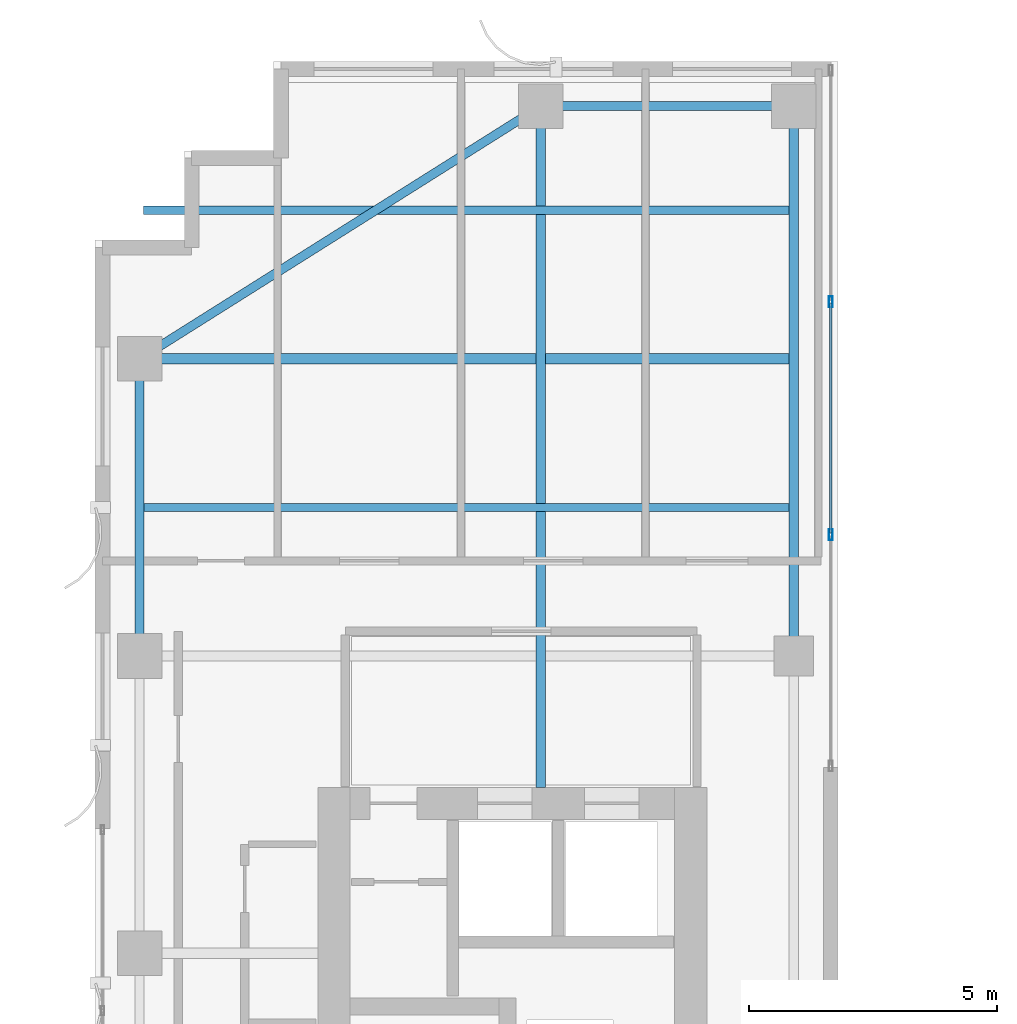
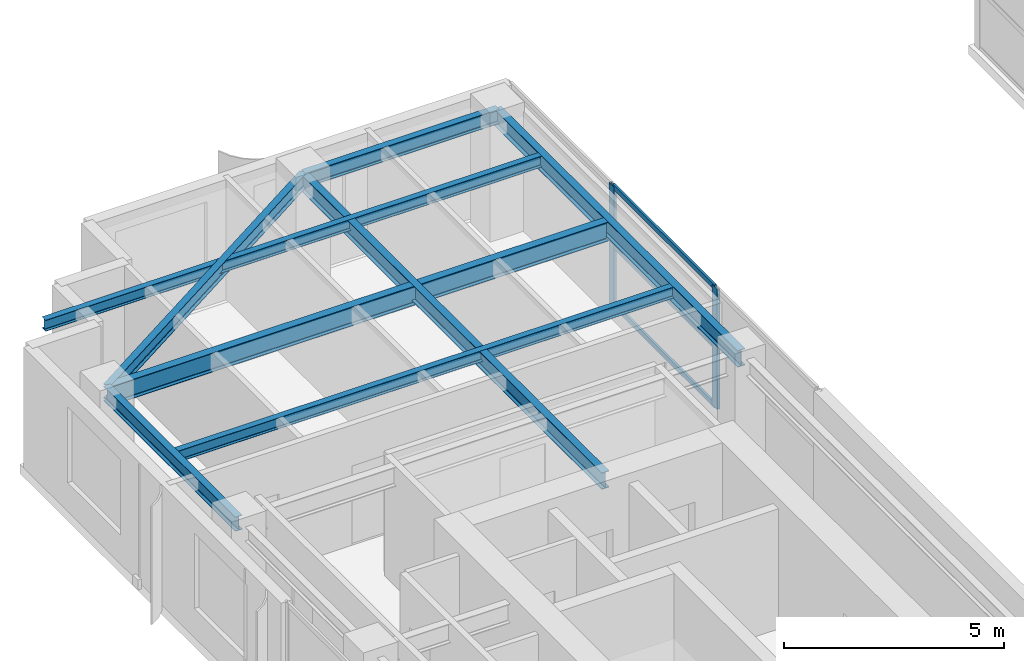
# One storey, part 13 of 22: 8 beams, 5 members, 1 element without a shape of its own.
"""IFC4 building model written with IfcOpenShell, lengths in metres."""

from ifc_helpers import new_model, si_unit, direction, frame, origin, origin_2d, place, context, subcontext, project, spatial, hollow_rectangle, i_section, extrude, source, transform, mapped, material, layer, layer_set, material_profile, profile_set, type_object, element, aggregate, save


model = new_model("IFC4")

# Units and contexts
model_context = context("Model", 3, precision=1e-05, world=origin(), true_north=direction((0.0, 1.0)))
body_context = subcontext(model_context, "Body", "Model", "MODEL_VIEW")
ifc_project = project(units=[si_unit("LENGTHUNIT", "METRE"), si_unit("AREAUNIT", "SQUARE_METRE"), si_unit("VOLUMEUNIT", "CUBIC_METRE"), si_unit("PLANEANGLEUNIT", "RADIAN"), si_unit("MASSUNIT", "GRAM", prefix="KILO")], contexts=[model_context])

# Site, building, storey
site_placement = place(None, origin())
site = spatial("IfcSite", under=ifc_project, at=site_placement, CompositionType="ELEMENT")
building_placement = place(site_placement, origin())
building = spatial("IfcBuilding", under=site, at=building_placement, Name="Khoralis Quay Care Tower", CompositionType="ELEMENT")
storey_placement = place(building_placement, frame((0.0, 0.0, 191.699951171875)))
storey = spatial("IfcBuildingStorey", under=building, at=storey_placement, Name="L50", CompositionType="ELEMENT", Elevation=191.699951171875)

# Beams
ifc_material_1 = material(Name="Steel S355", Category="steel")
ifc_material_profile_1 = material_profile(ifc_material_1, i_section(OverallWidth=0.179931640625, OverallDepth=0.39990234375, WebThickness=0.008544921875, FlangeThickness=0.013427734375, FilletRadius=0.02099609375, at=origin_2d()), Name="Steel S355")
ifc_profile_set_1 = profile_set([ifc_material_profile_1], Name="Steel S355")
beam_type_1 = type_object("IfcBeamType", Name="BM-IPE400", PredefinedType="SPANDREL", material=ifc_profile_set_1)
shared_shape_1 = source(origin(), body_context, "Body", "SweptSolid", [
    extrude(i_section(OverallWidth=0.179931640625, OverallDepth=0.39990234375, WebThickness=0.008544921875, FlangeThickness=0.013427734375, FilletRadius=0.02099609375, at=origin_2d()), origin(), (0.0, 0.0, 1.0), 6.0),
])
beam_1_placement = place(storey_placement, frame((3.89990234375, 30.0, 3.14013671875), z_axis=(0.0, 1.0, 0.0), x_axis=(-1.0, 0.0, 0.0)))
element("IfcBeam", 1, at=beam_1_placement, inside=storey, type_object=beam_type_1, Name="BM-TSP-L50-09", PredefinedType="SPANDREL", context=body_context, shape_type="MappedRepresentation", body=[
    mapped(shared_shape_1, transform((0.0, 0.0, 0.0), scale=1.0)),
])
shared_shape_2 = source(origin(), body_context, "Body", "SweptSolid", [
    extrude(i_section(OverallWidth=0.179931640625, OverallDepth=0.39990234375, WebThickness=0.008544921875, FlangeThickness=0.013427734375, FilletRadius=0.02099609375, at=origin_2d()), origin(), (0.0, 0.0, 1.0), 5.10009765625),
])
beam_2_placement = place(storey_placement, frame((12.0, 41.10009765625, 3.14013671875), z_axis=(1.0, 0.0, 0.0), x_axis=(0.0, 1.0, 0.0)))
element("IfcBeam", 2, at=beam_2_placement, inside=storey, type_object=beam_type_1, Name="BM-TSP-L50-03", PredefinedType="SPANDREL", context=body_context, shape_type="MappedRepresentation", body=[
    mapped(shared_shape_2, transform((0.0, 0.0, 0.0), scale=1.0)),
])
shared_shape_3 = source(origin(), body_context, "Body", "SweptSolid", [
    extrude(i_section(OverallWidth=0.179931640625, OverallDepth=0.39990234375, WebThickness=0.008544921875, FlangeThickness=0.013427734375, FilletRadius=0.02099609375, at=origin_2d()), origin(), (0.0, 0.0, 1.0), 9.572021484375),
])
beam_3_placement = place(storey_placement, frame((12.0, 41.10009765625, 3.14013671875), z_axis=(-0.846231136359, -0.532815975602, 0.0), x_axis=(0.532815975602, -0.846231136359, 0.0)))
element("IfcBeam", 3, at=beam_3_placement, inside=storey, type_object=beam_type_1, Name="BM-TCR-L50-17", PredefinedType="SPANDREL", context=body_context, shape_type="MappedRepresentation", body=[
    mapped(shared_shape_3, transform((0.0, 0.0, 0.0), scale=1.0)),
])
ifc_material_profile_2 = material_profile(ifc_material_1, i_section(OverallWidth=0.208984375, OverallDepth=0.532958984375, WebThickness=0.01025390625, FlangeThickness=0.015625, FilletRadius=0.01611328125, at=origin_2d()), Name="Steel S355")
ifc_profile_set_2 = profile_set([ifc_material_profile_2], Name="Steel S355")
beam_type_2 = type_object("IfcBeamType", Name="BM-W530X92", PredefinedType="BEAM", material=ifc_profile_set_2)
shared_shape_4 = source(origin(), body_context, "Body", "SweptSolid", [
    extrude(i_section(OverallWidth=0.208984375, OverallDepth=0.532958984375, WebThickness=0.01025390625, FlangeThickness=0.015625, FilletRadius=0.01611328125, at=origin_2d()), origin(), (0.0, 0.0, 1.0), 13.1162109375),
])
beam_4_placement = place(storey_placement, frame((3.89990234375, 36.0, 3.073486328125), z_axis=(1.0, 0.0, 0.0), x_axis=(0.0, 1.0, 0.0)))
element("IfcBeam", 4, at=beam_4_placement, inside=storey, type_object=beam_type_2, Name="BM-TGXW-L50-360", PredefinedType="BEAM", context=body_context, shape_type="MappedRepresentation", body=[
    mapped(shared_shape_4, transform((0.0, 0.0, 0.0), scale=1.0)),
])
ifc_material_profile_3 = material_profile(ifc_material_1, i_section(OverallWidth=0.19189453125, OverallDepth=0.462890625, WebThickness=0.010498046875, FlangeThickness=0.017578125, FilletRadius=0.014892578125, at=origin_2d()), Name="Steel S355")
ifc_profile_set_3 = profile_set([ifc_material_profile_3], Name="Steel S355")
beam_type_3 = type_object("IfcBeamType", Name="BM-W460X89", PredefinedType="BEAM", material=ifc_profile_set_3)
shared_shape_5 = source(origin(), body_context, "Body", "SweptSolid", [
    extrude(i_section(OverallWidth=0.19189453125, OverallDepth=0.462890625, WebThickness=0.010498046875, FlangeThickness=0.017578125, FilletRadius=0.014892578125, at=origin_2d()), origin(), (0.0, 0.0, 1.0), 11.10009765625),
])
beam_5_placement = place(storey_placement, frame((17.10009765625, 30.0, 3.108642578125), z_axis=(0.0, 1.0, 0.0), x_axis=(-1.0, 0.0, 0.0)))
element("IfcBeam", 5, at=beam_5_placement, inside=storey, type_object=beam_type_3, Name="BM-TGYN-L50-171", PredefinedType="BEAM", context=body_context, shape_type="MappedRepresentation", body=[
    mapped(shared_shape_5, transform((0.0, 0.0, 0.0), scale=1.0)),
])
shared_shape_6 = source(origin(), body_context, "Body", "SweptSolid", [
    extrude(i_section(OverallWidth=0.19189453125, OverallDepth=0.462890625, WebThickness=0.010498046875, FlangeThickness=0.017578125, FilletRadius=0.014892578125, at=origin_2d()), origin(), (0.0, 0.0, 1.0), 13.752197265625),
])
beam_6_placement = place(storey_placement, frame((12.0, 27.347900390625, 3.108642578125), z_axis=(0.0, 1.0, 0.0), x_axis=(-1.0, 0.0, 0.0)))
element("IfcBeam", 6, at=beam_6_placement, inside=storey, type_object=beam_type_3, Name="BM-TGYN-L50-120", PredefinedType="BEAM", context=body_context, shape_type="MappedRepresentation", body=[
    mapped(shared_shape_6, transform((0.0, 0.0, 0.0), scale=1.0)),
])
ifc_material_profile_4 = material_profile(ifc_material_1, i_section(OverallWidth=0.1650390625, OverallDepth=0.31005859375, WebThickness=0.005859375, FlangeThickness=0.009765625, FilletRadius=0.011962890625, at=origin_2d()), Name="Steel S355")
ifc_profile_set_4 = profile_set([ifc_material_profile_4], Name="Steel S355")
beam_type_4 = type_object("IfcBeamType", Name="BM-W310X39", PredefinedType="JOIST", material=ifc_profile_set_4)
shared_shape_7 = source(origin(), body_context, "Body", "SweptSolid", [
    extrude(i_section(OverallWidth=0.1650390625, OverallDepth=0.31005859375, WebThickness=0.005859375, FlangeThickness=0.009765625, FilletRadius=0.011962890625, at=origin_2d()), origin(), (0.0, 0.0, 1.0), 13.0400390625),
])
for number, where, z_axis, x_axis, name in (
    (7, (3.97607421875, 33.0, 3.18505859375), (1.0, 0.0, 0.0), (0.0, 1.0, 0.0), "BM-TJS-L50-21"),
    (8, (3.97607421875, 39.0, 3.18505859375), (1.0, 0.0, 0.0), (0.0, 1.0, 0.0), "BM-TJS-L50-23"),
):
    element("IfcBeam", number, at=place(storey_placement, frame(where, z_axis=z_axis, x_axis=x_axis)), inside=storey, type_object=beam_type_4, Name=name, PredefinedType="JOIST", context=body_context, shape_type="MappedRepresentation", body=[
        mapped(shared_shape_7, transform((0.0, 0.0, 0.0), scale=1.0)),
    ])

# Curtain wall, members
ifc_material_2 = material(Name="Pale anodised aluminium", Category="aluminium")
ifc_layer = layer(ifc_material_2, 0.18994140625)
ifc_layer_set = layer_set([ifc_layer], Name="Pale anodised aluminium")
curtain_wall_type = type_object("IfcCurtainWallType", Name="CW-SYS-PORTAL", PredefinedType="NOTDEFINED", material=ifc_layer_set)
curtain_wall_placement = place(storey_placement, origin())
curtain_wall = element("IfcCurtainWall", 9, at=curtain_wall_placement, inside=storey, type_object=curtain_wall_type, Name="L50 Unitised Curtain Wall CW-VP-L50-P1-N", PredefinedType="NOTDEFINED")
ifc_material_profile_5 = material_profile(ifc_material_2, hollow_rectangle(XDim=0.074951171875, YDim=0.219970703125, WallThickness=0.00390625, at=origin_2d()), Name="Pale anodised aluminium")
ifc_profile_set_5 = profile_set([ifc_material_profile_5], Name="Pale anodised aluminium")
member_type_1 = type_object("IfcMemberType", Name="CW-MUL-220", PredefinedType="MULLION", material=ifc_profile_set_5)
shared_shape_8 = source(origin(), body_context, "Body", "SweptSolid", [
    extrude(hollow_rectangle(XDim=0.074951171875, YDim=0.219970703125, WallThickness=0.00390625, at=origin_2d()), origin(), (0.0, 0.0, 1.0), 3.340087890625),
])
member_1_placement = place(storey_placement, frame((17.85009765625, 32.449951171875, 0.0), z_axis=(0.0, 0.0, 1.0), x_axis=(-1.0, 0.0, 0.0)))
member_1 = element("IfcMember", 10, at=member_1_placement, type_object=member_type_1, Name="CW4 mullion 2", PredefinedType="MULLION", context=body_context, shape_type="MappedRepresentation", body=[
    mapped(shared_shape_8, transform((0.0, 0.0, 0.0), scale=1.0)),
])
member_2_placement = place(storey_placement, frame((17.85009765625, 37.14990234375, 0.0), z_axis=(0.0, 0.0, 1.0), x_axis=(-1.0, 0.0, 0.0)))
member_2 = element("IfcMember", 11, at=member_2_placement, type_object=member_type_1, Name="CW4 mullion 3", PredefinedType="MULLION", context=body_context, shape_type="MappedRepresentation", body=[
    mapped(shared_shape_8, transform((0.0, 0.0, 0.0), scale=1.0)),
])
ifc_material_profile_6 = material_profile(ifc_material_2, hollow_rectangle(XDim=0.06005859375, YDim=0.139892578125, WallThickness=0.00390625, at=origin_2d()), Name="Pale anodised aluminium")
ifc_profile_set_6 = profile_set([ifc_material_profile_6], Name="Pale anodised aluminium")
member_type_2 = type_object("IfcMemberType", Name="CW-TRN-140", PredefinedType="USERDEFINED", material=ifc_profile_set_6)
shared_shape_9 = source(origin(), body_context, "Body", "SweptSolid", [
    extrude(hollow_rectangle(XDim=0.06005859375, YDim=0.139892578125, WallThickness=0.00390625, at=origin_2d()), origin(), (0.0, 0.0, 1.0), 4.64013671875),
])
member_3_placement = place(storey_placement, frame((17.85009765625, 32.47998046875, 0.030029296875), z_axis=(0.0, 1.0, 0.0), x_axis=(-1.0, 0.0, 0.0)))
member_3 = element("IfcMember", 12, at=member_3_placement, type_object=member_type_2, Name="CW4 transom 2.1", ObjectType="TRANSOM", PredefinedType="USERDEFINED", context=body_context, shape_type="MappedRepresentation", body=[
    mapped(shared_shape_9, transform((0.0, 0.0, 0.0), scale=1.0)),
])
member_4_placement = place(storey_placement, frame((17.85009765625, 32.47998046875, 1.670166015625), z_axis=(0.0, 1.0, 0.0), x_axis=(-1.0, 0.0, 0.0)))
member_4 = element("IfcMember", 13, at=member_4_placement, type_object=member_type_2, Name="CW4 transom 2.2", ObjectType="TRANSOM", PredefinedType="USERDEFINED", context=body_context, shape_type="MappedRepresentation", body=[
    mapped(shared_shape_9, transform((0.0, 0.0, 0.0), scale=1.0)),
])
member_5_placement = place(storey_placement, frame((17.85009765625, 32.47998046875, 3.31005859375), z_axis=(0.0, 1.0, 0.0), x_axis=(-1.0, 0.0, 0.0)))
member_5 = element("IfcMember", 14, at=member_5_placement, type_object=member_type_2, Name="CW4 transom 2.3", ObjectType="TRANSOM", PredefinedType="USERDEFINED", context=body_context, shape_type="MappedRepresentation", body=[
    mapped(shared_shape_9, transform((0.0, 0.0, 0.0), scale=1.0)),
])
aggregate(curtain_wall, [member_1, member_2, member_3, member_4, member_5])

save(model, "model.ifc")
